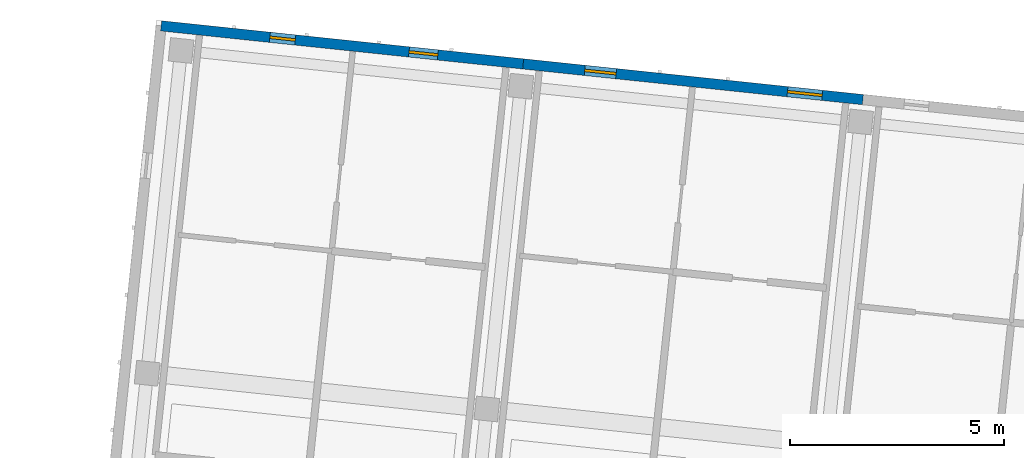
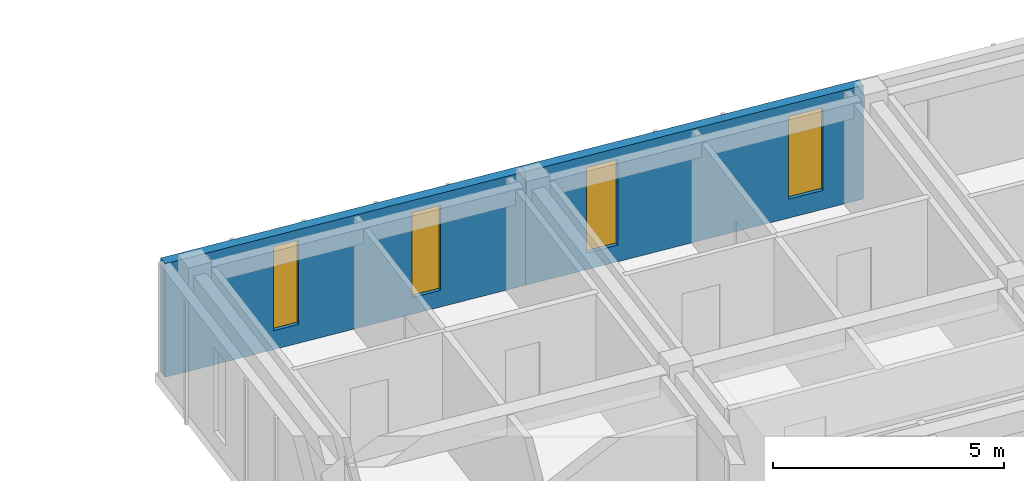
# One storey, part 34 of 68: 4 windows, 2 walls, 4 openings.
"""IFC4 building model written with IfcOpenShell, lengths in metres."""

from ifc_helpers import new_model, si_unit, direction, frame, frame_2d, origin, place, context, subcontext, project, spatial, rectangle, extrude, material, layer, layer_set, type_object, element, fill, save


model = new_model("IFC4")

# Units and contexts
model_context = context("Model", 3, precision=1e-05, world=origin(), true_north=direction((0.0, 1.0)))
body_context = subcontext(model_context, "Body", "Model", "MODEL_VIEW")
ifc_project = project(units=[si_unit("LENGTHUNIT", "METRE"), si_unit("AREAUNIT", "SQUARE_METRE"), si_unit("VOLUMEUNIT", "CUBIC_METRE"), si_unit("PLANEANGLEUNIT", "RADIAN"), si_unit("MASSUNIT", "GRAM", prefix="KILO")], contexts=[model_context])

# Site, building, storey
site_placement = place(None, origin())
site = spatial("IfcSite", under=ifc_project, at=site_placement, CompositionType="ELEMENT")
building_placement = place(site_placement, origin())
building = spatial("IfcBuilding", under=site, at=building_placement, Name="Kestramere Prow Commons", CompositionType="ELEMENT")
storey_placement = place(building_placement, frame((0.0, 0.0, 18.14990234375)))
storey = spatial("IfcBuildingStorey", under=building, at=storey_placement, Name="L05", CompositionType="ELEMENT", Elevation=18.14990234375)

# Wall, openings, windows
ifc_material_1 = material(Name="Fluoropolymer Standing-Seam Zinc-Aluminium Cladding", Category="aluminium")
ifc_layer = layer(ifc_material_1, 0.239990234375)
ifc_layer_set = layer_set([ifc_layer], Name="Fluoropolymer Standing-Seam Zinc-Aluminium Cladding")
wall_type = type_object("IfcWallType", Name="EW-SEAM-240", PredefinedType="SOLIDWALL", material=ifc_layer_set)
wall_1_placement = place(storey_placement, frame((111.58154296875, 114.86962890625, 0.0), z_axis=(0.0, 0.0, 1.0), x_axis=(0.994521760736, -0.104529744196, 0.0)))
wall_1 = element("IfcWall", 1, at=wall_1_placement, inside=storey, type_object=wall_type, Name="Block B L05 North Standing-Seam Wall 1", PredefinedType="SOLIDWALL", context=body_context, shape_type="SweptSolid", body=[
    extrude(rectangle(XDim=8.52490234375, YDim=0.239990234375, at=frame_2d((4.262451171875, 0.0))), origin(), (0.0, 0.0, 1.0), 3.0),
])
opening_1_placement = place(wall_1_placement, frame((2.560302734375, 0.0, 0.5)))
opening_1 = element("IfcOpeningElement", 2, at=opening_1_placement, cuts=wall_1, Name="Opening WN-02", PredefinedType="OPENING", context=body_context, shape_type="SweptSolid", body=[
    extrude(rectangle(XDim=0.60009765625, YDim=2.219970703125, at=frame_2d((0.300048828125, 1.10986328125))), frame((0.0, 0.135009765625, 0.0), z_axis=(0.0, -1.0, 0.0), x_axis=(1.0, 0.0, 0.0)), (0.0, 0.0, 1.0), 0.27001953125),
])
opening_2_placement = place(wall_1_placement, frame((5.8369140625, 0.0, 0.43994140625)))
opening_2 = element("IfcOpeningElement", 3, at=opening_2_placement, cuts=wall_1, Name="Opening WN-06", PredefinedType="OPENING", context=body_context, shape_type="SweptSolid", body=[
    extrude(rectangle(XDim=0.679931640625, YDim=2.239990234375, at=frame_2d((0.33984375, 1.1201171875))), frame((0.0, 0.135009765625, 0.0), z_axis=(0.0, -1.0, 0.0), x_axis=(1.0, 0.0, 0.0)), (0.0, 0.0, 1.0), 0.27001953125),
])
ifc_material_2 = material(Name="Low-E Laminated Double Glazing", Category="glass")
window_type_1 = type_object("IfcWindowType", Name="WN-NAR-600A", PartitioningType="SINGLE_PANEL", PredefinedType="WINDOW", material=ifc_material_2)
window_1_placement = place(opening_1_placement, origin())
window_1 = element("IfcWindow", 4, at=window_1_placement, inside=storey, type_object=window_type_1, Name="WN-B-L05-N-0-0", OverallHeight=2.219970703125, OverallWidth=0.60009765625, PartitioningType="SINGLE_PANEL", PredefinedType="WINDOW", context=body_context, shape_type="SweptSolid", body=[
    extrude(rectangle(XDim=0.60009765625, YDim=2.219970703125, at=frame_2d((0.300048828125, 1.10986328125))), frame((0.0, 0.030029296875, 0.0), z_axis=(0.0, -1.0, 0.0), x_axis=(1.0, 0.0, 0.0)), (0.0, 0.0, 1.0), 0.06005859375),
])
fill(opening_1, window_1)
window_type_2 = type_object("IfcWindowType", Name="WN-NAR-680A", PartitioningType="SINGLE_PANEL", PredefinedType="WINDOW", material=ifc_material_2)
window_2_placement = place(opening_2_placement, origin())
window_2 = element("IfcWindow", 5, at=window_2_placement, inside=storey, type_object=window_type_2, Name="WN-B-L05-N-0-1", OverallHeight=2.239990234375, OverallWidth=0.679931640625, PartitioningType="SINGLE_PANEL", PredefinedType="WINDOW", context=body_context, shape_type="SweptSolid", body=[
    extrude(rectangle(XDim=0.679931640625, YDim=2.239990234375, at=frame_2d((0.33984375, 1.1201171875))), frame((0.0, 0.030029296875, 0.0), z_axis=(0.0, -1.0, 0.0), x_axis=(1.0, 0.0, 0.0)), (0.0, 0.0, 1.0), 0.06005859375),
])
fill(opening_2, window_2)

wall_2_placement = place(storey_placement, frame((120.059814453125, 113.978515625, 0.0), z_axis=(0.0, 0.0, 1.0), x_axis=(0.994522329422, -0.104524333444, 0.0)))
wall_2 = element("IfcWall", 6, at=wall_2_placement, inside=storey, type_object=wall_type, Name="Block B L05 North Standing-Seam Wall 2", PredefinedType="SOLIDWALL", context=body_context, shape_type="SweptSolid", body=[
    extrude(rectangle(XDim=7.999755859375, YDim=0.239990234375, at=frame_2d((4.0, 0.0))), origin(), (0.0, 0.0, 1.0), 3.0),
])
opening_3_placement = place(wall_2_placement, frame((1.449951171875, 0.0, 0.43994140625)))
opening_3 = element("IfcOpeningElement", 7, at=opening_3_placement, cuts=wall_2, Name="Opening WN-09", PredefinedType="OPENING", context=body_context, shape_type="SweptSolid", body=[
    extrude(rectangle(XDim=0.739990234375, YDim=2.260009765625, at=frame_2d((0.3701171875, 1.1298828125))), frame((0.0, 0.135009765625, 0.0), z_axis=(0.0, -1.0, 0.0), x_axis=(1.0, 0.0, 0.0)), (0.0, 0.0, 1.0), 0.27001953125),
])
opening_4_placement = place(wall_2_placement, frame((6.2236328125, 0.0, 0.5)))
opening_4 = element("IfcOpeningElement", 8, at=opening_4_placement, cuts=wall_2, Name="Opening WN-13", PredefinedType="OPENING", context=body_context, shape_type="SweptSolid", body=[
    extrude(rectangle(XDim=0.820068359375, YDim=2.179931640625, at=frame_2d((0.41015625, 1.08984375))), frame((0.0, 0.135009765625, 0.0), z_axis=(0.0, -1.0, 0.0), x_axis=(1.0, 0.0, 0.0)), (0.0, 0.0, 1.0), 0.27001953125),
])
window_type_3 = type_object("IfcWindowType", Name="WN-NAR-740A", PartitioningType="SINGLE_PANEL", PredefinedType="WINDOW", material=ifc_material_2)
window_3_placement = place(opening_3_placement, origin())
window_3 = element("IfcWindow", 9, at=window_3_placement, inside=storey, type_object=window_type_3, Name="WN-B-L05-N-1-0", OverallHeight=2.260009765625, OverallWidth=0.739990234375, PartitioningType="SINGLE_PANEL", PredefinedType="WINDOW", context=body_context, shape_type="SweptSolid", body=[
    extrude(rectangle(XDim=0.739990234375, YDim=2.260009765625, at=frame_2d((0.3701171875, 1.1298828125))), frame((0.0, 0.030029296875, 0.0), z_axis=(0.0, -1.0, 0.0), x_axis=(1.0, 0.0, 0.0)), (0.0, 0.0, 1.0), 0.06005859375),
])
fill(opening_3, window_3)
window_type_4 = type_object("IfcWindowType", Name="WN-NAR-820A", PartitioningType="DOUBLE_PANEL_VERTICAL", PredefinedType="WINDOW", material=ifc_material_2)
window_4_placement = place(opening_4_placement, origin())
window_4 = element("IfcWindow", 10, at=window_4_placement, inside=storey, type_object=window_type_4, Name="WN-B-L05-N-1-1", OverallHeight=2.179931640625, OverallWidth=0.820068359375, PartitioningType="SINGLE_PANEL", PredefinedType="WINDOW", context=body_context, shape_type="SweptSolid", body=[
    extrude(rectangle(XDim=0.820068359375, YDim=2.179931640625, at=frame_2d((0.41015625, 1.08984375))), frame((0.0, 0.030029296875, 0.0), z_axis=(0.0, -1.0, 0.0), x_axis=(1.0, 0.0, 0.0)), (0.0, 0.0, 1.0), 0.06005859375),
])
fill(opening_4, window_4)

save(model, "model.ifc")
